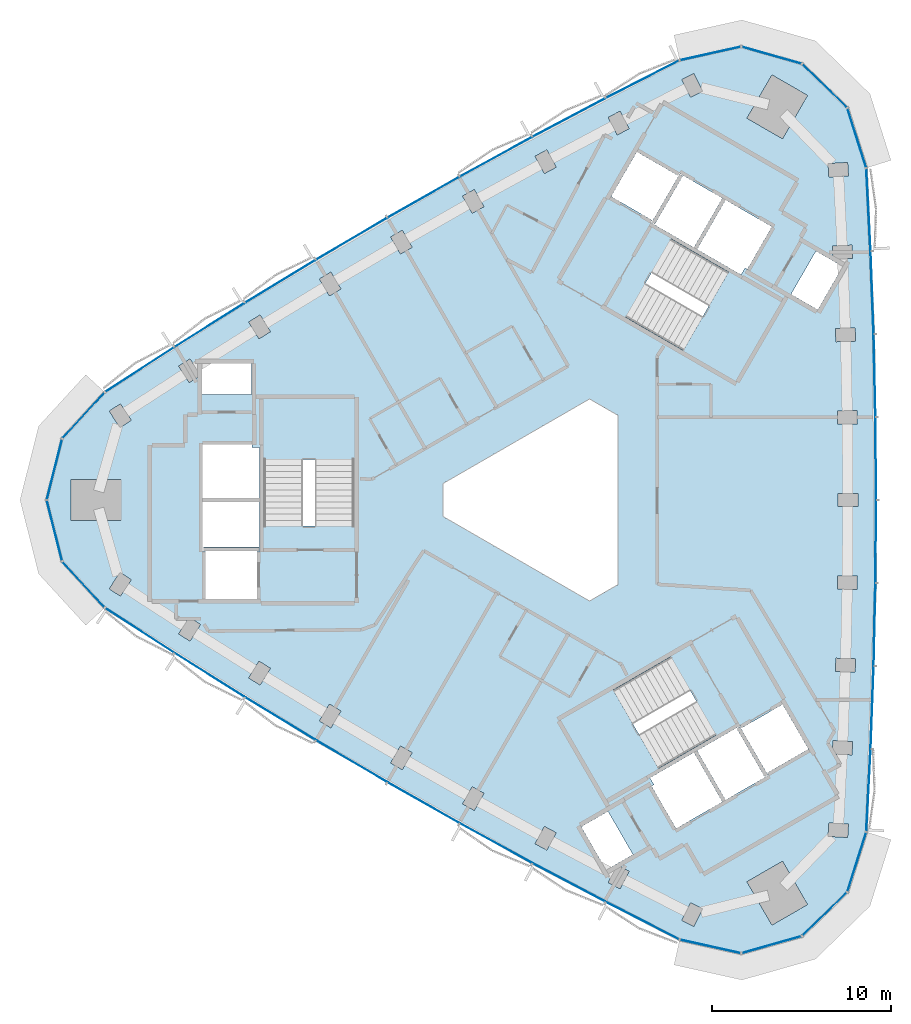
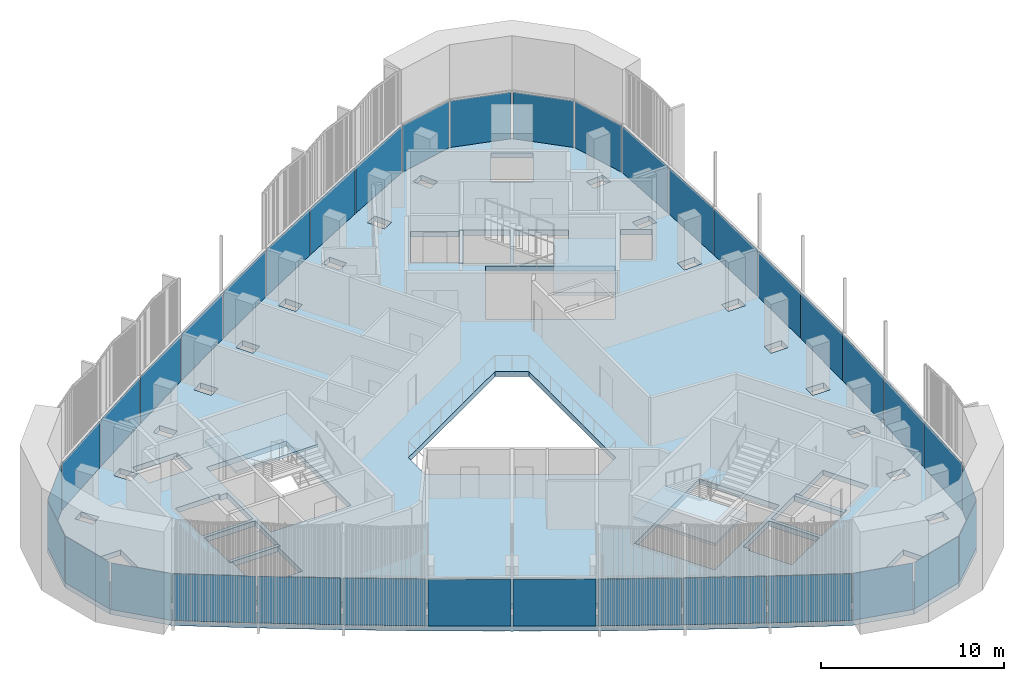
# One storey, part 7 of 14: 36 plates, 4 slabs, 6 elements without a shape of their own.
"""IFC4 building model written with IfcOpenShell, lengths in metres."""

from ifc_helpers import new_model, si_unit, direction, frame, origin, origin_2d, place, context, subcontext, project, spatial, polyline, rectangle, outline, extrude, material, layer, layer_set, type_object, element, aggregate, save


model = new_model("IFC4")

# Units and contexts
model_context = context("Model", 3, precision=1e-05, world=origin(), true_north=direction((0.0, 1.0)))
body_context = subcontext(model_context, "Body", "Model", "MODEL_VIEW")
ifc_project = project(units=[si_unit("LENGTHUNIT", "METRE"), si_unit("AREAUNIT", "SQUARE_METRE"), si_unit("VOLUMEUNIT", "CUBIC_METRE"), si_unit("PLANEANGLEUNIT", "RADIAN"), si_unit("MASSUNIT", "GRAM", prefix="KILO")], contexts=[model_context])

# Site, building, storey
site_placement = place(None, origin())
site = spatial("IfcSite", under=ifc_project, at=site_placement, CompositionType="ELEMENT")
building_placement = place(site_placement, origin())
building = spatial("IfcBuilding", under=site, at=building_placement, Name="Tamra Quay Hotel Tower", CompositionType="ELEMENT")
storey_placement = place(building_placement, frame((0.0, 0.0, 221.39990234375)))
storey = spatial("IfcBuildingStorey", under=building, at=storey_placement, Name="L55", CompositionType="ELEMENT", Elevation=221.39990234375)

# Stair, slab
ifc_material_1 = material(Name="Exit stair 2200 24 risers 150.0 going 342")
stair_type = type_object("IfcStairType", Name="Exit stair 2200 24 risers 150.0 going 342", PredefinedType="HALF_TURN_STAIR", material=ifc_material_1)
stair_1_placement = place(storey_placement, origin())
stair_1 = element("IfcStair", 1, at=stair_1_placement, inside=storey, type_object=stair_type, Name="L55 Exit stair ST3", PredefinedType="HALF_TURN_STAIR")
ifc_material_2 = material(Name="Concrete M70", Category="concrete")
ifc_layer_1 = layer(ifc_material_2, 0.175048828125)
ifc_layer_set_1 = layer_set([ifc_layer_1], Name="Concrete M70 stair landing 180")
slab_type_1 = type_object("IfcSlabType", Name="Concrete M70 stair landing 180", PredefinedType="LANDING", material=ifc_layer_set_1)
slab_1_placement = place(storey_placement, frame((0.0, 0.0, 1.625)))
slab_1 = element("IfcSlab", 2, at=slab_1_placement, type_object=slab_type_1, Name="ST3 landing 1", PredefinedType="LANDING", context=body_context, shape_type="SweptSolid", body=[
    extrude(outline(polyline([(-10.932373046875, 2.261962890625), (-10.932373046875, 5.679931640625), (-16.09130859375, 5.679931640625), (-16.09130859375, 2.261962890625), (-10.932373046875, 2.261962890625)])), origin(), (0.0, 0.0, 1.0), 0.175048828125),
])
aggregate(stair_1, [slab_1])

stair_2_placement = place(storey_placement, origin())
stair_2 = element("IfcStair", 3, at=stair_2_placement, inside=storey, type_object=stair_type, Name="L55 Exit stair ST1", PredefinedType="HALF_TURN_STAIR")
slab_2_placement = place(storey_placement, frame((0.0, 0.0, 1.625)))
slab_2 = element("IfcSlab", 4, at=slab_2_placement, type_object=slab_type_1, Name="ST1 landing 1", PredefinedType="LANDING", context=body_context, shape_type="SweptSolid", body=[
    extrude(outline(polyline([(7.425048828125, 8.336669921875), (10.385009765625, 6.627685546875), (12.964599609375, 11.095458984375), (10.00439453125, 12.804443359375), (7.425048828125, 8.336669921875)])), origin(), (0.0, 0.0, 1.0), 0.175048828125),
])
aggregate(stair_2, [slab_2])

stair_3_placement = place(storey_placement, origin())
stair_3 = element("IfcStair", 5, at=stair_3_placement, inside=storey, type_object=stair_type, Name="L55 Exit stair ST2", PredefinedType="HALF_TURN_STAIR")
slab_3_placement = place(storey_placement, frame((0.0, 0.0, 1.625)))
slab_3 = element("IfcSlab", 6, at=slab_3_placement, type_object=slab_type_1, Name="ST2 landing 1", PredefinedType="LANDING", context=body_context, shape_type="SweptSolid", body=[
    extrude(outline(polyline([(3.50732421875, -10.5986328125), (0.547119140625, -12.3076171875), (3.126708984375, -16.775390625), (6.086669921875, -15.06640625), (3.50732421875, -10.5986328125)])), origin(), (0.0, 0.0, 1.0), 0.175048828125),
])
aggregate(stair_3, [slab_3])

# Slab
ifc_material_3 = material(Name="Concrete M60", Category="concrete")
ifc_layer_2 = layer(ifc_material_3, 0.35009765625)
ifc_layer_set_2 = layer_set([ifc_layer_2], Name="FLOOR SLAB PT 350")
slab_type_2 = type_object("IfcSlabType", Name="FLOOR SLAB PT 350", PredefinedType="FLOOR", material=ifc_layer_set_2)
slab_4_placement = place(storey_placement, frame((0.0, 0.0, -0.349853515625)))
element("IfcSlab", 7, at=slab_4_placement, inside=storey, type_object=slab_type_2, Name="SLAB-L55", PredefinedType="FLOOR", context=body_context, shape_type="SweptSolid", body=[
    extrude(outline(polyline([(17.935791015625, 13.94091796875), (18.106689453125, 9.29541015625), (18.208984375, 4.648681640625), (18.243408203125, 0.0), (18.208984375, -4.648681640625), (18.106689453125, -9.29541015625), (17.935791015625, -13.94091796875), (17.69677734375, -18.5830078125), (16.633056640625, -21.9541015625), (14.09716796875, -24.4169921875), (10.6962890625, -25.3818359375), (7.244873046875, -24.617431640625), (3.105224609375, -22.50341796875), (-1.00341796875, -20.328369140625), (-5.078857421875, -18.093994140625), (-9.12158203125, -15.79931640625), (-13.13037109375, -13.4453125), (-17.103271484375, -11.033203125), (-21.041015625, -8.5625), (-24.941650390625, -6.034423828125), (-27.329345703125, -3.427490234375), (-28.1943359375, 0.0), (-27.329345703125, 3.427490234375), (-24.941650390625, 6.034423828125), (-21.041015625, 8.5625), (-17.103271484375, 11.033203125), (-13.13037109375, 13.4453125), (-9.12158203125, 15.79931640625), (-5.078857421875, 18.093994140625), (-1.00341796875, 20.328369140625), (3.105224609375, 22.50341796875), (7.244873046875, 24.617431640625), (10.6962890625, 25.3818359375), (14.09716796875, 24.4169921875), (16.633056640625, 21.9541015625), (17.69677734375, 18.5830078125), (17.935791015625, 13.94091796875)]), holes=[polyline([(-8.9345703125, -14.724853515625), (-8.284912109375, -15.099853515625), (-7.73486328125, -14.147216796875), (-8.384521484375, -13.772216796875), (-8.9345703125, -14.724853515625)]), polyline([(-12.927001953125, -12.373779296875), (-12.283203125, -12.758544921875), (-11.718994140625, -11.814208984375), (-12.36279296875, -11.4296875), (-12.927001953125, -12.373779296875)]), polyline([(-16.885009765625, -9.964599609375), (-16.24658203125, -10.3583984375), (-15.669189453125, -9.422119140625), (-16.3076171875, -9.0283203125), (-16.885009765625, -9.964599609375)]), polyline([(-20.21533203125, -6.56982421875), (-20.806640625, -7.497314453125), (-20.17431640625, -7.900634765625), (-19.5830078125, -6.972900390625), (-20.21533203125, -6.56982421875)]), polyline([(-24.08740234375, -4.05419921875), (-24.69189453125, -4.972900390625), (-24.0654296875, -5.38525390625), (-23.460693359375, -4.46630859375), (-24.08740234375, -4.05419921875)]), polyline([(-19.4072265625, -2.85498046875), (-19.4072265625, -2.89306640625), (-19.307373046875, -2.89306640625), (-19.307373046875, -5.544921875), (-16.417236328125, -5.544921875), (-16.417236328125, -2.89306640625), (-16.3173828125, -2.89306640625), (-16.3173828125, -2.85498046875), (-19.4072265625, -2.85498046875)]), polyline([(-19.417236328125, -2.89306640625), (-19.417236328125, -2.64501953125), (-16.307373046875, -2.64501953125), (-16.307373046875, -2.89306640625), (-16.26708984375, -2.89306640625), (-16.26708984375, -0.10498046875), (-19.45751953125, -0.10498046875), (-19.45751953125, -2.89306640625), (-19.417236328125, -2.89306640625)]), polyline([(-24.0205078125, 1.14990234375), (-26.8203125, 1.14990234375), (-26.8203125, -1.14990234375), (-24.0205078125, -1.14990234375), (-24.0205078125, 1.14990234375)]), polyline([(-16.707275390625, 2.945068359375), (-16.707275390625, 3.09521484375), (-19.45751953125, 3.09521484375), (-19.45751953125, 0.10498046875), (-16.26708984375, 0.10498046875), (-16.26708984375, 2.945068359375), (-16.707275390625, 2.945068359375)]), polyline([(-16.036376953125, -1.455078125), (-10.9873046875, -1.455078125), (-10.9873046875, 5.625), (-16.036376953125, 5.625), (-16.036376953125, -1.455078125)]), polyline([(-23.460693359375, 4.46630859375), (-24.0654296875, 5.38525390625), (-24.69189453125, 4.972900390625), (-24.08740234375, 4.05419921875), (-23.460693359375, 4.46630859375)]), polyline([(-19.50732421875, 7.64501953125), (-19.50732421875, 5.9150390625), (-16.71728515625, 5.9150390625), (-16.71728515625, 7.64501953125), (-19.50732421875, 7.64501953125)]), polyline([(-19.5830078125, 6.972900390625), (-20.17431640625, 7.900634765625), (-20.806640625, 7.497314453125), (-20.21533203125, 6.56982421875), (-19.5830078125, 6.972900390625)]), polyline([(-15.669189453125, 9.422119140625), (-16.24658203125, 10.3583984375), (-16.885009765625, 9.964599609375), (-16.3076171875, 9.0283203125), (-15.669189453125, 9.422119140625)]), polyline([(-12.283203125, 12.758544921875), (-12.927001953125, 12.373779296875), (-12.36279296875, 11.4296875), (-11.718994140625, 11.814208984375), (-12.283203125, 12.758544921875)]), polyline([(-7.73486328125, 14.147216796875), (-8.284912109375, 15.099853515625), (-8.9345703125, 14.724853515625), (-8.384521484375, 13.772216796875), (-7.73486328125, 14.147216796875)]), polyline([(7.8623046875, -22.55078125), (7.368896484375, -23.533935546875), (8.039306640625, -23.870361328125), (8.53271484375, -22.88720703125), (7.8623046875, -22.55078125)]), polyline([(3.2451171875, -21.421875), (3.910400390625, -21.767822265625), (4.41796875, -20.7919921875), (3.752685546875, -20.44580078125), (3.2451171875, -21.421875)]), polyline([(1.73779296875, -18.300048828125), (3.1328125, -20.71630859375), (4.631103515625, -19.851318359375), (3.236083984375, -17.43505859375), (1.73779296875, -18.300048828125)]), polyline([(-0.3251953125, -18.281005859375), (-0.847412109375, -19.2490234375), (-0.187255859375, -19.60498046875), (0.334716796875, -18.636962890625), (-0.3251953125, -18.281005859375)]), polyline([(-4.90771484375, -17.016845703125), (-4.252685546875, -17.382080078125), (-3.716796875, -16.42138671875), (-4.3720703125, -16.05615234375), (-4.90771484375, -17.016845703125)]), polyline([(5.5830078125, -15.560302734375), (5.80322265625, -15.94140625), (5.673095703125, -16.0166015625), (7.04833984375, -18.398193359375), (9.6376953125, -16.903076171875), (8.042724609375, -14.14013671875), (5.5830078125, -15.560302734375)]), polyline([(12.214111328125, -15.369384765625), (11.999267578125, -15.493408203125), (10.4443359375, -12.800048828125), (10.6591796875, -12.676025390625), (10.63916015625, -12.64111328125), (8.224609375, -14.03515625), (9.819580078125, -16.798095703125), (12.234130859375, -15.404052734375), (12.214111328125, -15.369384765625)]), polyline([(6.75390625, -8.78759765625), (0.622314453125, -12.32763671875), (3.146728515625, -16.7001953125), (9.2783203125, -13.160400390625), (6.75390625, -8.78759765625)]), polyline([(-6.0, 0.923828125), (-6.0, -0.923828125), (2.199951171875, -5.657958984375), (3.800048828125, -4.734375), (3.800048828125, 4.734375), (2.199951171875, 5.657958984375), (-6.0, 0.923828125)]), polyline([(4.2333984375, 10.242919921875), (10.364990234375, 6.702880859375), (12.889404296875, 11.075439453125), (6.758056640625, 14.615478515625), (4.2333984375, 10.242919921875)]), polyline([(7.203125, 18.262451171875), (7.41796875, 18.138427734375), (5.863037109375, 15.445068359375), (5.648193359375, 15.569091796875), (5.628173828125, 15.5341796875), (8.04248046875, 14.140380859375), (9.6376953125, 16.903076171875), (7.22314453125, 18.297119140625), (7.203125, 18.262451171875)]), polyline([(-3.716796875, 16.42138671875), (-4.252685546875, 17.382080078125), (-4.90771484375, 17.016845703125), (-4.3720703125, 16.05615234375), (-3.716796875, 16.42138671875)]), polyline([(7.231201171875, 18.234619140625), (7.1982421875, 18.253662109375), (7.148193359375, 18.1669921875), (4.8515625, 19.4931640625), (3.406494140625, 16.990234375), (5.703125, 15.664306640625), (5.6533203125, 15.57763671875), (5.68603515625, 15.55859375), (7.231201171875, 18.234619140625)]), polyline([(0.334716796875, 18.636962890625), (-0.187255859375, 19.60498046875), (-0.847412109375, 19.2490234375), (-0.3251953125, 18.281005859375), (0.334716796875, 18.636962890625)]), polyline([(4.41796875, 20.7919921875), (3.910400390625, 21.767822265625), (3.2451171875, 21.421875), (3.752685546875, 20.44580078125), (4.41796875, 20.7919921875)]), polyline([(8.039306640625, 23.870361328125), (7.368896484375, 23.533935546875), (7.8623046875, 22.55078125), (8.53271484375, 22.88720703125), (8.039306640625, 23.870361328125)]), polyline([(11.014404296875, -21.377197265625), (12.414306640625, -23.802001953125), (14.406005859375, -22.652099609375), (13.006103515625, -20.227294921875), (11.014404296875, -21.377197265625)]), polyline([(15.554443359375, -18.8330078125), (16.652587890625, -18.8974609375), (16.696533203125, -18.148681640625), (15.598388671875, -18.08447265625), (15.554443359375, -18.8330078125)]), polyline([(16.896240234375, -14.2705078125), (16.92919921875, -13.52099609375), (15.830322265625, -13.472900390625), (15.79736328125, -14.22216796875), (16.896240234375, -14.2705078125)]), polyline([(10.631103515625, -12.70361328125), (12.176025390625, -15.379638671875), (12.208984375, -15.360595703125), (12.1591796875, -15.274169921875), (14.455810546875, -13.947998046875), (13.0107421875, -11.4453125), (10.714111328125, -12.771240234375), (10.6640625, -12.6845703125), (10.631103515625, -12.70361328125)]), polyline([(15.97265625, -9.6083984375), (17.072265625, -9.640380859375), (17.093994140625, -8.890625), (15.994384765625, -8.85888671875), (15.97265625, -9.6083984375)]), polyline([(17.1796875, -5.00830078125), (17.19091796875, -4.25830078125), (16.091064453125, -4.24169921875), (16.079833984375, -4.99169921875), (17.1796875, -5.00830078125)]), polyline([(16.119384765625, -0.375), (17.219482421875, -0.375), (17.219482421875, 0.375), (16.119384765625, 0.375), (16.119384765625, -0.375)]), polyline([(16.091064453125, 4.24169921875), (17.19091796875, 4.25830078125), (17.1796875, 5.00830078125), (16.079833984375, 4.99169921875), (16.091064453125, 4.24169921875)]), polyline([(17.093994140625, 8.890625), (17.072265625, 9.640380859375), (15.97265625, 9.6083984375), (15.994384765625, 8.85888671875), (17.093994140625, 8.890625)]), polyline([(14.9794921875, 10.655029296875), (16.37451171875, 13.0712890625), (14.876220703125, 13.936279296875), (13.481201171875, 11.52001953125), (14.9794921875, 10.655029296875)]), polyline([(15.830322265625, 13.472900390625), (16.92919921875, 13.52099609375), (16.896240234375, 14.2705078125), (15.79736328125, 14.22216796875), (15.830322265625, 13.472900390625)]), polyline([(10.904052734375, 12.996337890625), (11.0341796875, 12.92138671875), (12.4091796875, 15.302978515625), (9.819580078125, 16.798095703125), (8.224365234375, 14.035400390625), (10.68408203125, 12.615234375), (10.904052734375, 12.996337890625)]), polyline([(15.598388671875, 18.08447265625), (16.696533203125, 18.148681640625), (16.652587890625, 18.8974609375), (15.554443359375, 18.8330078125), (15.598388671875, 18.08447265625)]), polyline([(13.006103515625, 20.227294921875), (14.406005859375, 22.652099609375), (12.414306640625, 23.802001953125), (11.014404296875, 21.377197265625), (13.006103515625, 20.227294921875)])]), origin(), (0.0, 0.0, 1.0), 0.349853515625),
])

# Curtain wall, plates
ifc_material_4 = material(Name="Aluminium 6063 anodised dark grey", Category="aluminium")
curtain_wall_type_1 = type_object("IfcCurtainWallType", Name="CW1 CURTAIN WALL", PredefinedType="NOTDEFINED", material=ifc_material_4)
curtain_wall_1_placement = place(storey_placement, origin())
curtain_wall_1 = element("IfcCurtainWall", 8, at=curtain_wall_1_placement, inside=storey, type_object=curtain_wall_type_1, Name="CW1 east face L55", PredefinedType="NOTDEFINED")
ifc_material_5 = material(Name="Glass clear laminated low-iron", Category="glass")
ifc_layer_3 = layer(ifc_material_5, 0.028076171875)
ifc_layer_set_3 = layer_set([ifc_layer_3], Name="GLASS PANEL CW1 Z5")
plate_type_1 = type_object("IfcPlateType", Name="GLASS PANEL CW1 Z5", PredefinedType="CURTAIN_PANEL", material=ifc_layer_set_3)
plate_1_placement = place(storey_placement, frame((17.81640625, -16.261962890625, 0.0), z_axis=(0.0, 0.0, 1.0), x_axis=(0.051403368539, 0.998677972974, 0.0)))
plate_1 = element("IfcPlate", 9, at=plate_1_placement, type_object=plate_type_1, Name="CW1 glass L55.E.1", PredefinedType="CURTAIN_PANEL", context=body_context, shape_type="SweptSolid", body=[
    extrude(rectangle(XDim=4.54833984375, YDim=0.028076171875, at=origin_2d()), origin(), (0.0, 0.0, 1.0), 3.110107421875),
])
plate_2_placement = place(storey_placement, frame((18.021240234375, -11.617919921875, 0.0), z_axis=(0.0, 0.0, 1.0), x_axis=(0.036744655796, 0.999324687111, 0.0)))
plate_2 = element("IfcPlate", 10, at=plate_2_placement, type_object=plate_type_1, Name="CW1 glass L55.E.2", PredefinedType="CURTAIN_PANEL", context=body_context, shape_type="SweptSolid", body=[
    extrude(rectangle(XDim=4.548583984375, YDim=0.028076171875, at=origin_2d()), origin(), (0.0, 0.0, 1.0), 3.110107421875),
])
plate_3_placement = place(storey_placement, frame((18.157958984375, -6.971923828125, 0.0), z_axis=(0.0, 0.0, 1.0), x_axis=(0.022062883967, 0.99975658495, 0.0)))
plate_3 = element("IfcPlate", 11, at=plate_3_placement, type_object=plate_type_1, Name="CW1 glass L55.E.3", PredefinedType="CURTAIN_PANEL", context=body_context, shape_type="SweptSolid", body=[
    extrude(rectangle(XDim=4.5478515625, YDim=0.028076171875, at=origin_2d()), origin(), (0.0, 0.0, 1.0), 3.110107421875),
])
plate_4_placement = place(storey_placement, frame((18.226318359375, -2.32421875, 0.0), z_axis=(0.0, 0.0, 1.0), x_axis=(0.007361813182, 0.999972901486, 0.0)))
plate_4 = element("IfcPlate", 12, at=plate_4_placement, type_object=plate_type_1, Name="CW1 glass L55.E.4", PredefinedType="CURTAIN_PANEL", context=body_context, shape_type="SweptSolid", body=[
    extrude(rectangle(XDim=4.548828125, YDim=0.028076171875, at=origin_2d()), origin(), (0.0, 0.0, 1.0), 3.110107421875),
])
plate_5_placement = place(storey_placement, frame((18.226318359375, 2.32421875, 0.0), z_axis=(0.0, 0.0, 1.0), x_axis=(-0.007361813182, 0.999972901486, 0.0)))
plate_5 = element("IfcPlate", 13, at=plate_5_placement, type_object=plate_type_1, Name="CW1 glass L55.E.5", PredefinedType="CURTAIN_PANEL", context=body_context, shape_type="SweptSolid", body=[
    extrude(rectangle(XDim=4.548828125, YDim=0.028076171875, at=origin_2d()), origin(), (0.0, 0.0, 1.0), 3.110107421875),
])
plate_6_placement = place(storey_placement, frame((18.157958984375, 6.971923828125, 0.0), z_axis=(0.0, 0.0, 1.0), x_axis=(-0.022062883967, 0.99975658495, 0.0)))
plate_6 = element("IfcPlate", 14, at=plate_6_placement, type_object=plate_type_1, Name="CW1 glass L55.E.6", PredefinedType="CURTAIN_PANEL", context=body_context, shape_type="SweptSolid", body=[
    extrude(rectangle(XDim=4.5478515625, YDim=0.028076171875, at=origin_2d()), origin(), (0.0, 0.0, 1.0), 3.110107421875),
])
plate_7_placement = place(storey_placement, frame((18.021240234375, 11.617919921875, 0.0), z_axis=(0.0, 0.0, 1.0), x_axis=(-0.036744655796, 0.999324687111, 0.0)))
plate_7 = element("IfcPlate", 15, at=plate_7_placement, type_object=plate_type_1, Name="CW1 glass L55.E.7", PredefinedType="CURTAIN_PANEL", context=body_context, shape_type="SweptSolid", body=[
    extrude(rectangle(XDim=4.548583984375, YDim=0.028076171875, at=origin_2d()), origin(), (0.0, 0.0, 1.0), 3.110107421875),
])
plate_8_placement = place(storey_placement, frame((17.81640625, 16.261962890625, 0.0), z_axis=(0.0, 0.0, 1.0), x_axis=(-0.051403368539, 0.998677972974, 0.0)))
plate_8 = element("IfcPlate", 16, at=plate_8_placement, type_object=plate_type_1, Name="CW1 glass L55.E.8", PredefinedType="CURTAIN_PANEL", context=body_context, shape_type="SweptSolid", body=[
    extrude(rectangle(XDim=4.54833984375, YDim=0.028076171875, at=origin_2d()), origin(), (0.0, 0.0, 1.0), 3.110107421875),
])
plate_9_placement = place(storey_placement, frame((17.1650390625, 20.2685546875, 0.0), z_axis=(0.0, 0.0, 1.0), x_axis=(-0.30090299279, 0.95365475353, 0.0)))
plate_9 = element("IfcPlate", 17, at=plate_9_placement, type_object=plate_type_1, Name="CW1 glass L55.E.9", PredefinedType="CURTAIN_PANEL", context=body_context, shape_type="SweptSolid", body=[
    extrude(rectangle(XDim=3.43505859375, YDim=0.028076171875, at=origin_2d()), origin(), (0.0, 0.0, 1.0), 3.110107421875),
])
plate_10_placement = place(storey_placement, frame((15.365234375, 23.185546875, 0.0), z_axis=(0.0, 0.0, 1.0), x_axis=(-0.717364100925, 0.696698461821, 0.0)))
plate_10 = element("IfcPlate", 18, at=plate_10_placement, type_object=plate_type_1, Name="CW1 glass L55.E.10", PredefinedType="CURTAIN_PANEL", context=body_context, shape_type="SweptSolid", body=[
    extrude(rectangle(XDim=3.43505859375, YDim=0.028076171875, at=origin_2d()), origin(), (0.0, 0.0, 1.0), 3.110107421875),
])
plate_11_placement = place(storey_placement, frame((12.396728515625, 24.8994140625, 0.0), z_axis=(0.0, 0.0, 1.0), x_axis=(-0.962040617177, 0.272906304254, 0.0)))
plate_11 = element("IfcPlate", 19, at=plate_11_placement, type_object=plate_type_1, Name="CW1 glass L55.E.11", PredefinedType="CURTAIN_PANEL", context=body_context, shape_type="SweptSolid", body=[
    extrude(rectangle(XDim=3.43505859375, YDim=0.028076171875, at=origin_2d()), origin(), (0.0, 0.0, 1.0), 3.110107421875),
])
plate_12_placement = place(storey_placement, frame((8.970458984375, 24.99951171875, 0.0), z_axis=(0.0, 0.0, 1.0), x_axis=(-0.976340739392, -0.216237740934, 0.0)))
plate_12 = element("IfcPlate", 20, at=plate_12_placement, type_object=plate_type_1, Name="CW1 glass L55.E.12", PredefinedType="CURTAIN_PANEL", context=body_context, shape_type="SweptSolid", body=[
    extrude(rectangle(XDim=3.43505859375, YDim=0.028076171875, at=origin_2d()), origin(), (0.0, 0.0, 1.0), 3.110107421875),
])
aggregate(curtain_wall_1, [plate_1, plate_2, plate_3, plate_4, plate_5, plate_6, plate_7, plate_8, plate_9, plate_10, plate_11, plate_12])

curtain_wall_type_2 = type_object("IfcCurtainWallType", Name="CW2 CURTAIN WALL", PredefinedType="NOTDEFINED", material=ifc_material_4)
curtain_wall_2_placement = place(storey_placement, origin())
curtain_wall_2 = element("IfcCurtainWall", 21, at=curtain_wall_2_placement, inside=storey, type_object=curtain_wall_type_2, Name="CW2 north-west face L55", PredefinedType="NOTDEFINED")
ifc_layer_4 = layer(ifc_material_5, 0.028076171875)
ifc_layer_set_4 = layer_set([ifc_layer_4], Name="GLASS PANEL CW2 Z5")
plate_type_2 = type_object("IfcPlateType", Name="GLASS PANEL CW2 Z5", PredefinedType="CURTAIN_PANEL", material=ifc_layer_set_4)
plate_13_placement = place(storey_placement, frame((5.175048828125, 23.560302734375, 0.0), z_axis=(0.0, 0.0, 1.0), x_axis=(-0.890582179064, -0.454822363492, 0.0)))
plate_13 = element("IfcPlate", 22, at=plate_13_placement, type_object=plate_type_2, Name="CW2 glass L55.NW.1", PredefinedType="CURTAIN_PANEL", context=body_context, shape_type="SweptSolid", body=[
    extrude(rectangle(XDim=4.54833984375, YDim=0.028076171875, at=origin_2d()), origin(), (0.0, 0.0, 1.0), 3.110107421875),
])
plate_14_placement = place(storey_placement, frame((1.051025390625, 21.415771484375, 0.0), z_axis=(0.0, 0.0, 1.0), x_axis=(-0.883812893566, -0.467840538183, 0.0)))
plate_14 = element("IfcPlate", 23, at=plate_14_placement, type_object=plate_type_2, Name="CW2 glass L55.NW.2", PredefinedType="CURTAIN_PANEL", context=body_context, shape_type="SweptSolid", body=[
    extrude(rectangle(XDim=4.548583984375, YDim=0.028076171875, at=origin_2d()), origin(), (0.0, 0.0, 1.0), 3.110107421875),
])
plate_15_placement = place(storey_placement, frame((-3.041015625, 19.211181640625, 0.0), z_axis=(0.0, 0.0, 1.0), x_axis=(-0.876846042151, -0.480771274479, 0.0)))
plate_15 = element("IfcPlate", 24, at=plate_15_placement, type_object=plate_type_2, Name="CW2 glass L55.NW.3", PredefinedType="CURTAIN_PANEL", context=body_context, shape_type="SweptSolid", body=[
    extrude(rectangle(XDim=4.5478515625, YDim=0.028076171875, at=origin_2d()), origin(), (0.0, 0.0, 1.0), 3.110107421875),
])
plate_16_placement = place(storey_placement, frame((-7.100341796875, 16.946533203125, 0.0), z_axis=(0.0, 0.0, 1.0), x_axis=(-0.869682842374, -0.493610933509, 0.0)))
plate_16 = element("IfcPlate", 25, at=plate_16_placement, type_object=plate_type_2, Name="CW2 glass L55.NW.4", PredefinedType="CURTAIN_PANEL", context=body_context, shape_type="SweptSolid", body=[
    extrude(rectangle(XDim=4.548828125, YDim=0.028076171875, at=origin_2d()), origin(), (0.0, 0.0, 1.0), 3.110107421875),
])
plate_17_placement = place(storey_placement, frame((-11.1259765625, 14.622314453125, 0.0), z_axis=(0.0, 0.0, 1.0), x_axis=(-0.862321029192, -0.506361967977, 0.0)))
plate_17 = element("IfcPlate", 26, at=plate_17_placement, type_object=plate_type_2, Name="CW2 glass L55.NW.5", PredefinedType="CURTAIN_PANEL", context=body_context, shape_type="SweptSolid", body=[
    extrude(rectangle(XDim=4.548828125, YDim=0.028076171875, at=origin_2d()), origin(), (0.0, 0.0, 1.0), 3.110107421875),
])
plate_18_placement = place(storey_placement, frame((-15.11669921875, 12.2392578125, 0.0), z_axis=(0.0, 0.0, 1.0), x_axis=(-0.854783158184, -0.518985310471, 0.0)))
plate_18 = element("IfcPlate", 27, at=plate_18_placement, type_object=plate_type_2, Name="CW2 glass L55.NW.6", PredefinedType="CURTAIN_PANEL", context=body_context, shape_type="SweptSolid", body=[
    extrude(rectangle(XDim=4.5478515625, YDim=0.028076171875, at=origin_2d()), origin(), (0.0, 0.0, 1.0), 3.110107421875),
])
plate_19_placement = place(storey_placement, frame((-19.072021484375, 9.7978515625, 0.0), z_axis=(0.0, 0.0, 1.0), x_axis=(-0.847068237769, -0.531484148929, 0.0)))
plate_19 = element("IfcPlate", 28, at=plate_19_placement, type_object=plate_type_2, Name="CW2 glass L55.NW.7", PredefinedType="CURTAIN_PANEL", context=body_context, shape_type="SweptSolid", body=[
    extrude(rectangle(XDim=4.548583984375, YDim=0.028076171875, at=origin_2d()), origin(), (0.0, 0.0, 1.0), 3.110107421875),
])
plate_20_placement = place(storey_placement, frame((-22.991455078125, 7.29833984375, 0.0), z_axis=(0.0, 0.0, 1.0), x_axis=(-0.839178810526, -0.543855609481, 0.0)))
plate_20 = element("IfcPlate", 29, at=plate_20_placement, type_object=plate_type_2, Name="CW2 glass L55.NW.8", PredefinedType="CURTAIN_PANEL", context=body_context, shape_type="SweptSolid", body=[
    extrude(rectangle(XDim=4.54833984375, YDim=0.028076171875, at=origin_2d()), origin(), (0.0, 0.0, 1.0), 3.110107421875),
])
plate_21_placement = place(storey_placement, frame((-26.135498046875, 4.73095703125, 0.0), z_axis=(0.0, 0.0, 1.0), x_axis=(-0.675437746601, -0.737417012596, 0.0)))
plate_21 = element("IfcPlate", 30, at=plate_21_placement, type_object=plate_type_2, Name="CW2 glass L55.NW.9", PredefinedType="CURTAIN_PANEL", context=body_context, shape_type="SweptSolid", body=[
    extrude(rectangle(XDim=3.43505859375, YDim=0.028076171875, at=origin_2d()), origin(), (0.0, 0.0, 1.0), 3.110107421875),
])
plate_22_placement = place(storey_placement, frame((-27.761962890625, 1.7138671875, 0.0), z_axis=(0.0, 0.0, 1.0), x_axis=(-0.244676516252, -0.969604766075, 0.0)))
plate_22 = element("IfcPlate", 31, at=plate_22_placement, type_object=plate_type_2, Name="CW2 glass L55.NW.10", PredefinedType="CURTAIN_PANEL", context=body_context, shape_type="SweptSolid", body=[
    extrude(rectangle(XDim=3.43505859375, YDim=0.028076171875, at=origin_2d()), origin(), (0.0, 0.0, 1.0), 3.110107421875),
])
plate_23_placement = place(storey_placement, frame((-27.761962890625, -1.7138671875, 0.0), z_axis=(0.0, 0.0, 1.0), x_axis=(0.244676516252, -0.969604766075, 0.0)))
plate_23 = element("IfcPlate", 32, at=plate_23_placement, type_object=plate_type_2, Name="CW2 glass L55.NW.11", PredefinedType="CURTAIN_PANEL", context=body_context, shape_type="SweptSolid", body=[
    extrude(rectangle(XDim=3.43505859375, YDim=0.028076171875, at=origin_2d()), origin(), (0.0, 0.0, 1.0), 3.110107421875),
])
plate_24_placement = place(storey_placement, frame((-26.135498046875, -4.73095703125, 0.0), z_axis=(0.0, 0.0, 1.0), x_axis=(0.675437746601, -0.737417012596, 0.0)))
plate_24 = element("IfcPlate", 33, at=plate_24_placement, type_object=plate_type_2, Name="CW2 glass L55.NW.12", PredefinedType="CURTAIN_PANEL", context=body_context, shape_type="SweptSolid", body=[
    extrude(rectangle(XDim=3.43505859375, YDim=0.028076171875, at=origin_2d()), origin(), (0.0, 0.0, 1.0), 3.110107421875),
])
aggregate(curtain_wall_2, [plate_13, plate_14, plate_15, plate_16, plate_17, plate_18, plate_19, plate_20, plate_21, plate_22, plate_23, plate_24])

curtain_wall_type_3 = type_object("IfcCurtainWallType", Name="CW3 CURTAIN WALL", PredefinedType="NOTDEFINED", material=ifc_material_4)
curtain_wall_3_placement = place(storey_placement, origin())
curtain_wall_3 = element("IfcCurtainWall", 34, at=curtain_wall_3_placement, inside=storey, type_object=curtain_wall_type_3, Name="CW3 south-west face L55", PredefinedType="NOTDEFINED")
ifc_layer_5 = layer(ifc_material_5, 0.028076171875)
ifc_layer_set_5 = layer_set([ifc_layer_5], Name="GLASS PANEL CW3 Z5")
plate_type_3 = type_object("IfcPlateType", Name="GLASS PANEL CW3 Z5", PredefinedType="CURTAIN_PANEL", material=ifc_layer_set_5)
plate_25_placement = place(storey_placement, frame((-22.991455078125, -7.29833984375, 0.0), z_axis=(0.0, 0.0, 1.0), x_axis=(0.839178810526, -0.543855609481, 0.0)))
plate_25 = element("IfcPlate", 35, at=plate_25_placement, type_object=plate_type_3, Name="CW3 glass L55.SW.1", PredefinedType="CURTAIN_PANEL", context=body_context, shape_type="SweptSolid", body=[
    extrude(rectangle(XDim=4.54833984375, YDim=0.028076171875, at=origin_2d()), origin(), (0.0, 0.0, 1.0), 3.110107421875),
])
plate_26_placement = place(storey_placement, frame((-19.072021484375, -9.7978515625, 0.0), z_axis=(0.0, 0.0, 1.0), x_axis=(0.847068237769, -0.531484148929, 0.0)))
plate_26 = element("IfcPlate", 36, at=plate_26_placement, type_object=plate_type_3, Name="CW3 glass L55.SW.2", PredefinedType="CURTAIN_PANEL", context=body_context, shape_type="SweptSolid", body=[
    extrude(rectangle(XDim=4.548583984375, YDim=0.028076171875, at=origin_2d()), origin(), (0.0, 0.0, 1.0), 3.110107421875),
])
plate_27_placement = place(storey_placement, frame((-15.11669921875, -12.2392578125, 0.0), z_axis=(0.0, 0.0, 1.0), x_axis=(0.854783158184, -0.518985310471, 0.0)))
plate_27 = element("IfcPlate", 37, at=plate_27_placement, type_object=plate_type_3, Name="CW3 glass L55.SW.3", PredefinedType="CURTAIN_PANEL", context=body_context, shape_type="SweptSolid", body=[
    extrude(rectangle(XDim=4.5478515625, YDim=0.028076171875, at=origin_2d()), origin(), (0.0, 0.0, 1.0), 3.110107421875),
])
plate_28_placement = place(storey_placement, frame((-11.1259765625, -14.622314453125, 0.0), z_axis=(0.0, 0.0, 1.0), x_axis=(0.862321029192, -0.506361967977, 0.0)))
plate_28 = element("IfcPlate", 38, at=plate_28_placement, type_object=plate_type_3, Name="CW3 glass L55.SW.4", PredefinedType="CURTAIN_PANEL", context=body_context, shape_type="SweptSolid", body=[
    extrude(rectangle(XDim=4.548828125, YDim=0.028076171875, at=origin_2d()), origin(), (0.0, 0.0, 1.0), 3.110107421875),
])
plate_29_placement = place(storey_placement, frame((-7.100341796875, -16.946533203125, 0.0), z_axis=(0.0, 0.0, 1.0), x_axis=(0.869682842374, -0.493610933509, 0.0)))
plate_29 = element("IfcPlate", 39, at=plate_29_placement, type_object=plate_type_3, Name="CW3 glass L55.SW.5", PredefinedType="CURTAIN_PANEL", context=body_context, shape_type="SweptSolid", body=[
    extrude(rectangle(XDim=4.548828125, YDim=0.028076171875, at=origin_2d()), origin(), (0.0, 0.0, 1.0), 3.110107421875),
])
plate_30_placement = place(storey_placement, frame((-3.041015625, -19.211181640625, 0.0), z_axis=(0.0, 0.0, 1.0), x_axis=(0.876846042151, -0.480771274479, 0.0)))
plate_30 = element("IfcPlate", 40, at=plate_30_placement, type_object=plate_type_3, Name="CW3 glass L55.SW.6", PredefinedType="CURTAIN_PANEL", context=body_context, shape_type="SweptSolid", body=[
    extrude(rectangle(XDim=4.5478515625, YDim=0.028076171875, at=origin_2d()), origin(), (0.0, 0.0, 1.0), 3.110107421875),
])
plate_31_placement = place(storey_placement, frame((1.051025390625, -21.415771484375, 0.0), z_axis=(0.0, 0.0, 1.0), x_axis=(0.883812893566, -0.467840538183, 0.0)))
plate_31 = element("IfcPlate", 41, at=plate_31_placement, type_object=plate_type_3, Name="CW3 glass L55.SW.7", PredefinedType="CURTAIN_PANEL", context=body_context, shape_type="SweptSolid", body=[
    extrude(rectangle(XDim=4.548583984375, YDim=0.028076171875, at=origin_2d()), origin(), (0.0, 0.0, 1.0), 3.110107421875),
])
plate_32_placement = place(storey_placement, frame((5.175048828125, -23.560302734375, 0.0), z_axis=(0.0, 0.0, 1.0), x_axis=(0.890582179064, -0.454822363492, 0.0)))
plate_32 = element("IfcPlate", 42, at=plate_32_placement, type_object=plate_type_3, Name="CW3 glass L55.SW.8", PredefinedType="CURTAIN_PANEL", context=body_context, shape_type="SweptSolid", body=[
    extrude(rectangle(XDim=4.54833984375, YDim=0.028076171875, at=origin_2d()), origin(), (0.0, 0.0, 1.0), 3.110107421875),
])
plate_33_placement = place(storey_placement, frame((8.970458984375, -24.99951171875, 0.0), z_axis=(0.0, 0.0, 1.0), x_axis=(0.976340739392, -0.216237740934, 0.0)))
plate_33 = element("IfcPlate", 43, at=plate_33_placement, type_object=plate_type_3, Name="CW3 glass L55.SW.9", PredefinedType="CURTAIN_PANEL", context=body_context, shape_type="SweptSolid", body=[
    extrude(rectangle(XDim=3.43505859375, YDim=0.028076171875, at=origin_2d()), origin(), (0.0, 0.0, 1.0), 3.110107421875),
])
plate_34_placement = place(storey_placement, frame((12.396728515625, -24.8994140625, 0.0), z_axis=(0.0, 0.0, 1.0), x_axis=(0.962040617177, 0.272906304254, 0.0)))
plate_34 = element("IfcPlate", 44, at=plate_34_placement, type_object=plate_type_3, Name="CW3 glass L55.SW.10", PredefinedType="CURTAIN_PANEL", context=body_context, shape_type="SweptSolid", body=[
    extrude(rectangle(XDim=3.43505859375, YDim=0.028076171875, at=origin_2d()), origin(), (0.0, 0.0, 1.0), 3.110107421875),
])
plate_35_placement = place(storey_placement, frame((15.365234375, -23.185546875, 0.0), z_axis=(0.0, 0.0, 1.0), x_axis=(0.717364100925, 0.696698461821, 0.0)))
plate_35 = element("IfcPlate", 45, at=plate_35_placement, type_object=plate_type_3, Name="CW3 glass L55.SW.11", PredefinedType="CURTAIN_PANEL", context=body_context, shape_type="SweptSolid", body=[
    extrude(rectangle(XDim=3.43505859375, YDim=0.028076171875, at=origin_2d()), origin(), (0.0, 0.0, 1.0), 3.110107421875),
])
plate_36_placement = place(storey_placement, frame((17.1650390625, -20.2685546875, 0.0), z_axis=(0.0, 0.0, 1.0), x_axis=(0.30090299279, 0.95365475353, 0.0)))
plate_36 = element("IfcPlate", 46, at=plate_36_placement, type_object=plate_type_3, Name="CW3 glass L55.SW.12", PredefinedType="CURTAIN_PANEL", context=body_context, shape_type="SweptSolid", body=[
    extrude(rectangle(XDim=3.43505859375, YDim=0.028076171875, at=origin_2d()), origin(), (0.0, 0.0, 1.0), 3.110107421875),
])
aggregate(curtain_wall_3, [plate_25, plate_26, plate_27, plate_28, plate_29, plate_30, plate_31, plate_32, plate_33, plate_34, plate_35, plate_36])

save(model, "model.ifc")
